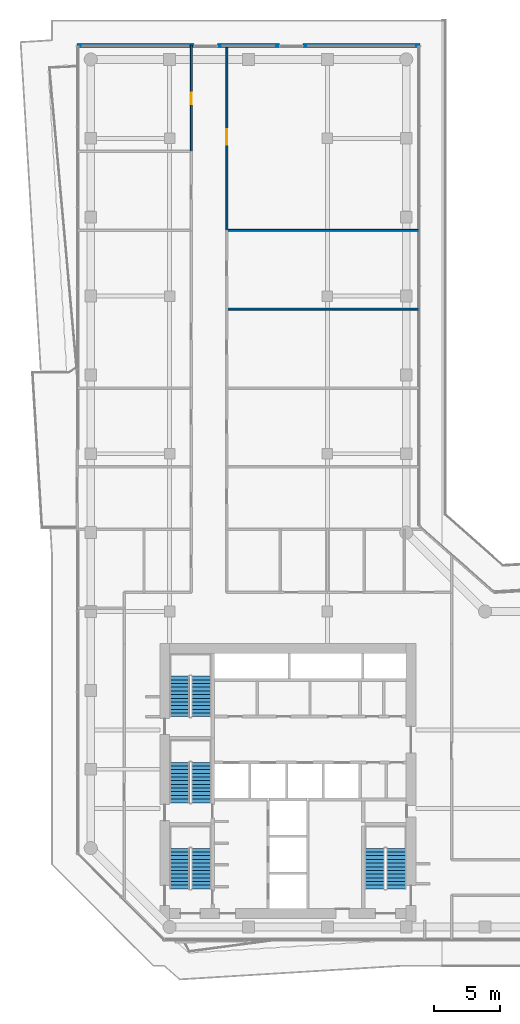
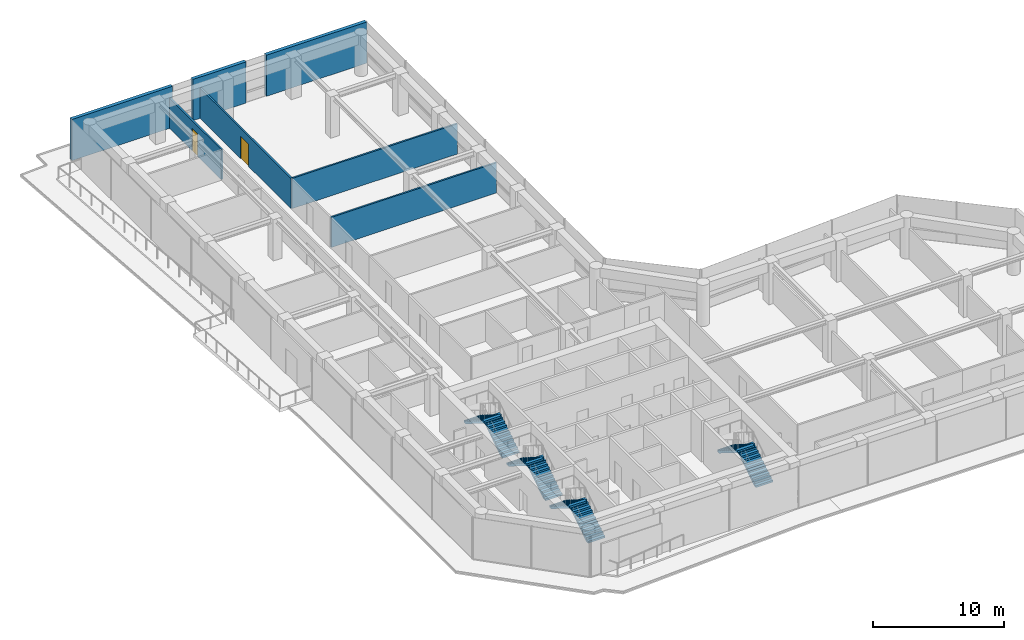
# One storey, part 21 of 23: 8 stair flights, 7 walls, 2 doors, 2 openings, 4 elements without a shape of their own.
"""IFC4 building model written with IfcOpenShell, lengths in metres."""

from ifc_helpers import new_model, si_unit, direction, frame, frame_2d, origin, place, context, subcontext, project, spatial, polyline, rectangle, outline, extrude, material, layer, layer_set, type_object, element, fill, aggregate, save


model = new_model("IFC4")

# Units and contexts
model_context = context("Model", 3, precision=1e-05, world=origin(), true_north=direction((0.0, 1.0)))
body_context = subcontext(model_context, "Body", "Model", "MODEL_VIEW")
ifc_project = project(units=[si_unit("LENGTHUNIT", "METRE"), si_unit("AREAUNIT", "SQUARE_METRE"), si_unit("VOLUMEUNIT", "CUBIC_METRE"), si_unit("PLANEANGLEUNIT", "RADIAN"), si_unit("MASSUNIT", "GRAM", prefix="KILO")], contexts=[model_context])

# Site, building, storey
site_placement = place(None, origin())
site = spatial("IfcSite", under=ifc_project, at=site_placement, CompositionType="ELEMENT")
building_placement = place(site_placement, origin())
building = spatial("IfcBuilding", under=site, at=building_placement, Name="Welwitschia Terrace Campus", CompositionType="ELEMENT")
storey_placement = place(building_placement, frame((0.0, 0.0, 96.199951171875)))
storey = spatial("IfcBuildingStorey", under=building, at=storey_placement, Name="L21", CompositionType="ELEMENT", Elevation=96.199951171875)

# Wall, opening, door
ifc_material_1 = material(Name="Gypsum board on steel studs", Category="steel")
ifc_layer_1 = layer(ifc_material_1, 0.14990234375)
ifc_layer_set_1 = layer_set([ifc_layer_1], Name="Gypsum board on steel studs")
wall_type_1 = type_object("IfcWallType", Name="Corridor partition 150 EI 30", PredefinedType="PARTITIONING", material=ifc_layer_set_1)
wall_1_placement = place(storey_placement, frame((7.64990234375, 63.0, 0.0), z_axis=(0.0, 0.0, 1.0), x_axis=(0.0, 1.0, 0.0)))
wall_1 = element("IfcWall", 1, at=wall_1_placement, inside=storey, type_object=wall_type_1, Name="Partition", PredefinedType="PARTITIONING", context=body_context, shape_type="SweptSolid", body=[
    extrude(rectangle(XDim=8.090087890625, YDim=0.14990234375, at=frame_2d((4.044921875, 0.0))), origin(), (0.0, 0.0, 1.0), 2.830078125),
])
opening_1_placement = place(wall_1_placement, frame((3.580078125, 0.0, 0.0)))
opening_1 = element("IfcOpeningElement", 2, at=opening_1_placement, cuts=wall_1, Name="Opening DI09", PredefinedType="OPENING", context=body_context, shape_type="SweptSolid", body=[
    extrude(rectangle(XDim=0.89990234375, YDim=2.10009765625, at=frame_2d((0.449951171875, 1.050048828125))), frame((0.0, 0.0849609375, 0.0), z_axis=(0.0, -1.0, 0.0), x_axis=(1.0, 0.0, 0.0)), (0.0, 0.0, 1.0), 0.169921875),
])
ifc_material_2 = material(Name="Timber veneered door", Category="wood")
door_type_1 = type_object("IfcDoorType", Name="Interior door DI09", OperationType="NOTDEFINED", PredefinedType="DOOR", material=ifc_material_2)
door_1_placement = place(opening_1_placement, origin())
door_1 = element("IfcDoor", 3, at=door_1_placement, inside=storey, type_object=door_type_1, Name="Door L21 465", OperationType="SINGLE_SWING_RIGHT", OverallHeight=2.10009765625, OverallWidth=0.89990234375, PredefinedType="DOOR", context=body_context, shape_type="SweptSolid", body=[
    extrude(rectangle(XDim=0.89990234375, YDim=2.10009765625, at=frame_2d((0.449951171875, 1.050048828125))), frame((0.0, 0.02490234375, 0.0), z_axis=(0.0, -1.0, 0.0), x_axis=(1.0, 0.0, 0.0)), (0.0, 0.0, 1.0), 0.050048828125),
])
fill(opening_1, door_1)

# Walls
for number, where, z_axis, x_axis, name in (
    (4, (10.35009765625, 51.0, 0.0), (0.0, 0.0, 1.0), (1.0, 0.0, 0.0), "Partition"),
    (5, (10.35009765625, 57.0, 0.0), (0.0, 0.0, 1.0), (1.0, 0.0, 0.0), "Partition"),
):
    element("IfcWall", number, at=place(storey_placement, frame(where, z_axis=z_axis, x_axis=x_axis)), inside=storey, type_object=wall_type_1, Name=name, PredefinedType="PARTITIONING", context=body_context, shape_type="SweptSolid", body=[
        extrude(rectangle(XDim=14.6298828125, YDim=0.14990234375, at=frame_2d((7.31494140625, 0.0))), origin(), (0.0, 0.0, 1.0), 2.830078125),
    ])

# Wall, opening, door
wall_2_placement = place(storey_placement, frame((10.35009765625, 71.090087890625, 0.0), z_axis=(0.0, 0.0, 1.0), x_axis=(0.0, -1.0, 0.0)))
wall_2 = element("IfcWall", 6, at=wall_2_placement, inside=storey, type_object=wall_type_1, Name="Partition", PredefinedType="PARTITIONING", context=body_context, shape_type="SweptSolid", body=[
    extrude(rectangle(XDim=14.090087890625, YDim=0.14990234375, at=frame_2d((7.044921875, 0.0))), origin(), (0.0, 0.0, 1.0), 2.830078125),
])
opening_2_placement = place(wall_2_placement, frame((6.389892578125, 0.0, 0.0)))
opening_2 = element("IfcOpeningElement", 7, at=opening_2_placement, cuts=wall_2, Name="Opening DI12", PredefinedType="OPENING", context=body_context, shape_type="SweptSolid", body=[
    extrude(rectangle(XDim=1.199951171875, YDim=2.10009765625, at=frame_2d((0.60009765625, 1.050048828125))), frame((0.0, 0.0849609375, 0.0), z_axis=(0.0, -1.0, 0.0), x_axis=(1.0, 0.0, 0.0)), (0.0, 0.0, 1.0), 0.169921875),
])
ifc_material_3 = material(Name="Timber veneered door", Category="wood")
door_type_2 = type_object("IfcDoorType", Name="Interior door DI12", OperationType="NOTDEFINED", PredefinedType="DOOR", material=ifc_material_3)
door_2_placement = place(opening_2_placement, origin())
door_2 = element("IfcDoor", 8, at=door_2_placement, inside=storey, type_object=door_type_2, Name="Door L21 470", OperationType="SINGLE_SWING_LEFT", OverallHeight=2.10009765625, OverallWidth=1.199951171875, PredefinedType="DOOR", context=body_context, shape_type="SweptSolid", body=[
    extrude(rectangle(XDim=1.199951171875, YDim=2.10009765625, at=frame_2d((0.60009765625, 1.050048828125))), frame((0.0, 0.02490234375, 0.0), z_axis=(0.0, -1.0, 0.0), x_axis=(1.0, 0.0, 0.0)), (0.0, 0.0, 1.0), 0.050048828125),
])
fill(opening_2, door_2)

# Walls
ifc_material_4 = material(Name="Concrete C40/50", Category="concrete")
ifc_layer_2 = layer(ifc_material_4, 0.300048828125)
ifc_layer_set_2 = layer_set([ifc_layer_2], Name="Concrete C40/50")
wall_type_2 = type_object("IfcWallType", Name="Mass wall 300", PredefinedType="SOLIDWALL", material=ifc_layer_set_2)
wall_3_placement = place(storey_placement, frame((25.030029296875, 71.05517578125, 0.0), z_axis=(0.0, 0.0, 1.0), x_axis=(-1.0, 0.0, 0.0)))
element("IfcWall", 9, at=wall_3_placement, inside=storey, type_object=wall_type_2, Name="Mass wall L21.9.0", PredefinedType="SOLIDWALL", context=body_context, shape_type="SweptSolid", body=[
    extrude(rectangle(XDim=8.87255859375, YDim=0.300048828125, at=frame_2d((4.436279296875, 0.0))), origin(), (0.0, 0.0, 1.0), 3.85009765625),
])
wall_4_placement = place(storey_placement, frame((14.357421875, 71.06005859375, 0.0), z_axis=(0.0, 0.0, 1.0), x_axis=(-1.0, 0.0, 0.0)))
element("IfcWall", 10, at=wall_4_placement, inside=storey, type_object=wall_type_2, Name="Mass wall L21.9.1", PredefinedType="SOLIDWALL", context=body_context, shape_type="SweptSolid", body=[
    extrude(rectangle(XDim=4.71484375, YDim=0.300048828125, at=frame_2d((2.357421875, 0.0))), origin(), (0.0, 0.0, 1.0), 3.85009765625),
])
wall_5_placement = place(storey_placement, frame((7.842529296875, 71.05517578125, 0.0), z_axis=(0.0, 0.0, 1.0), x_axis=(-1.0, 0.0, 0.0)))
element("IfcWall", 11, at=wall_5_placement, inside=storey, type_object=wall_type_2, Name="Mass wall L21.9.2", PredefinedType="SOLIDWALL", context=body_context, shape_type="SweptSolid", body=[
    extrude(rectangle(XDim=8.87255859375, YDim=0.300048828125, at=frame_2d((4.436279296875, 0.0))), origin(), (0.0, 0.0, 1.0), 3.85009765625),
])

# Stair, stair flights
ifc_material_5 = material(Name="Concrete C40/50", Category="concrete")
stair_type = type_object("IfcStairType", Name="Stair 24R 175 W1500", PredefinedType="HALF_TURN_STAIR", material=ifc_material_5)
stair_1_placement = place(storey_placement, origin())
stair_1 = element("IfcStair", 12, at=stair_1_placement, inside=storey, type_object=stair_type, Name="L21 Exit stair S1", PredefinedType="HALF_TURN_STAIR")
ifc_material_6 = material(Name="Concrete C40/50", Category="concrete")
stair_flight_type = type_object("IfcStairFlightType", Name="Stair flight 24R 175 W1500", PredefinedType="STRAIGHT", material=ifc_material_6)
stair_flight_1_placement = place(storey_placement, frame((8.39990234375, 6.89990234375, 0.0), z_axis=(0.0, 0.0, 1.0), x_axis=(0.0, 1.0, 0.0)))
stair_flight_1 = element("IfcStairFlight", 13, at=stair_flight_1_placement, type_object=stair_flight_type, Name="S1 flight 1", NumberOfRisers=12, NumberOfTreads=11, PredefinedType="STRAIGHT", RiserHeight=0.175, TreadLength=0.28, context=body_context, shape_type="SweptSolid", body=[
    extrude(outline(polyline([(0.0, 0.0), (0.0, 0.175048828125), (0.280029296875, 0.175048828125), (0.280029296875, 0.35009765625), (0.56005859375, 0.35009765625), (0.56005859375, 0.52490234375), (0.840087890625, 0.52490234375), (0.840087890625, 0.699951171875), (1.1201171875, 0.699951171875), (1.1201171875, 0.875), (1.39990234375, 0.875), (1.39990234375, 1.050048828125), (1.679931640625, 1.050048828125), (1.679931640625, 1.22509765625), (1.9599609375, 1.22509765625), (1.9599609375, 1.39990234375), (2.239990234375, 1.39990234375), (2.239990234375, 1.574951171875), (2.52001953125, 1.574951171875), (2.52001953125, 1.75), (2.800048828125, 1.75), (2.800048828125, 1.925048828125), (3.080078125, 1.925048828125), (3.080078125, 2.10009765625), (3.080078125, 1.748291015625), (0.28271484375, 0.0), (0.0, 0.0)])), frame((0.0, 0.75, 0.0), z_axis=(0.0, -1.0, 0.0), x_axis=(1.0, 0.0, 0.0)), (0.0, 0.0, 1.0), 1.5),
])
stair_flight_2_placement = place(storey_placement, frame((6.75, 9.97998046875, 2.10009765625), z_axis=(0.0, 0.0, 1.0), x_axis=(0.0, -1.0, 0.0)))
stair_flight_2 = element("IfcStairFlight", 14, at=stair_flight_2_placement, type_object=stair_flight_type, Name="S1 flight 2", NumberOfRisers=12, NumberOfTreads=11, PredefinedType="STRAIGHT", RiserHeight=0.175, TreadLength=0.28, context=body_context, shape_type="SweptSolid", body=[
    extrude(outline(polyline([(0.0, 0.0), (0.0, 0.175048828125), (0.280029296875, 0.175048828125), (0.280029296875, 0.35009765625), (0.56005859375, 0.35009765625), (0.56005859375, 0.52490234375), (0.840087890625, 0.52490234375), (0.840087890625, 0.699951171875), (1.1201171875, 0.699951171875), (1.1201171875, 0.875), (1.39990234375, 0.875), (1.39990234375, 1.050048828125), (1.679931640625, 1.050048828125), (1.679931640625, 1.22509765625), (1.9599609375, 1.22509765625), (1.9599609375, 1.39990234375), (2.239990234375, 1.39990234375), (2.239990234375, 1.574951171875), (2.52001953125, 1.574951171875), (2.52001953125, 1.75), (2.800048828125, 1.75), (2.800048828125, 1.925048828125), (3.080078125, 1.925048828125), (3.080078125, 2.10009765625), (3.080078125, 1.748291015625), (0.28271484375, 0.0), (0.0, 0.0)])), frame((0.0, 0.75, 0.0), z_axis=(0.0, -1.0, 0.0), x_axis=(1.0, 0.0, 0.0)), (0.0, 0.0, 1.0), 1.5),
])
aggregate(stair_1, [stair_flight_1, stair_flight_2])

stair_2_placement = place(storey_placement, origin())
stair_2 = element("IfcStair", 15, at=stair_2_placement, inside=storey, type_object=stair_type, Name="L21 Exit stair S3", PredefinedType="HALF_TURN_STAIR")
stair_flight_3_placement = place(storey_placement, frame((8.39990234375, 13.449951171875, 0.0), z_axis=(0.0, 0.0, 1.0), x_axis=(0.0, 1.0, 0.0)))
stair_flight_3 = element("IfcStairFlight", 16, at=stair_flight_3_placement, type_object=stair_flight_type, Name="S3 flight 1", NumberOfRisers=12, NumberOfTreads=11, PredefinedType="STRAIGHT", RiserHeight=0.175, TreadLength=0.28, context=body_context, shape_type="SweptSolid", body=[
    extrude(outline(polyline([(0.0, 0.0), (0.0, 0.175048828125), (0.280029296875, 0.175048828125), (0.280029296875, 0.35009765625), (0.56005859375, 0.35009765625), (0.56005859375, 0.52490234375), (0.840087890625, 0.52490234375), (0.840087890625, 0.699951171875), (1.1201171875, 0.699951171875), (1.1201171875, 0.875), (1.39990234375, 0.875), (1.39990234375, 1.050048828125), (1.679931640625, 1.050048828125), (1.679931640625, 1.22509765625), (1.9599609375, 1.22509765625), (1.9599609375, 1.39990234375), (2.239990234375, 1.39990234375), (2.239990234375, 1.574951171875), (2.52001953125, 1.574951171875), (2.52001953125, 1.75), (2.800048828125, 1.75), (2.800048828125, 1.925048828125), (3.080078125, 1.925048828125), (3.080078125, 2.10009765625), (3.080078125, 1.748291015625), (0.28271484375, 0.0), (0.0, 0.0)])), frame((0.0, 0.75, 0.0), z_axis=(0.0, -1.0, 0.0), x_axis=(1.0, 0.0, 0.0)), (0.0, 0.0, 1.0), 1.5),
])
stair_flight_4_placement = place(storey_placement, frame((6.75, 16.530029296875, 2.10009765625), z_axis=(0.0, 0.0, 1.0), x_axis=(0.0, -1.0, 0.0)))
stair_flight_4 = element("IfcStairFlight", 17, at=stair_flight_4_placement, type_object=stair_flight_type, Name="S3 flight 2", NumberOfRisers=12, NumberOfTreads=11, PredefinedType="STRAIGHT", RiserHeight=0.175, TreadLength=0.28, context=body_context, shape_type="SweptSolid", body=[
    extrude(outline(polyline([(0.0, 0.0), (0.0, 0.175048828125), (0.280029296875, 0.175048828125), (0.280029296875, 0.35009765625), (0.56005859375, 0.35009765625), (0.56005859375, 0.52490234375), (0.840087890625, 0.52490234375), (0.840087890625, 0.699951171875), (1.1201171875, 0.699951171875), (1.1201171875, 0.875), (1.39990234375, 0.875), (1.39990234375, 1.050048828125), (1.679931640625, 1.050048828125), (1.679931640625, 1.22509765625), (1.9599609375, 1.22509765625), (1.9599609375, 1.39990234375), (2.239990234375, 1.39990234375), (2.239990234375, 1.574951171875), (2.52001953125, 1.574951171875), (2.52001953125, 1.75), (2.800048828125, 1.75), (2.800048828125, 1.925048828125), (3.080078125, 1.925048828125), (3.080078125, 2.10009765625), (3.080078125, 1.748291015625), (0.28271484375, 0.0), (0.0, 0.0)])), frame((0.0, 0.75, 0.0), z_axis=(0.0, -1.0, 0.0), x_axis=(1.0, 0.0, 0.0)), (0.0, 0.0, 1.0), 1.5),
])
aggregate(stair_2, [stair_flight_3, stair_flight_4])

stair_3_placement = place(storey_placement, origin())
stair_3 = element("IfcStair", 18, at=stair_3_placement, inside=storey, type_object=stair_type, Name="L21 Exit stair S4", PredefinedType="HALF_TURN_STAIR")
stair_flight_5_placement = place(storey_placement, frame((8.39990234375, 20.0, 0.0), z_axis=(0.0, 0.0, 1.0), x_axis=(0.0, 1.0, 0.0)))
stair_flight_5 = element("IfcStairFlight", 19, at=stair_flight_5_placement, type_object=stair_flight_type, Name="S4 flight 1", NumberOfRisers=12, NumberOfTreads=11, PredefinedType="STRAIGHT", RiserHeight=0.175, TreadLength=0.28, context=body_context, shape_type="SweptSolid", body=[
    extrude(outline(polyline([(0.0, 0.0), (0.0, 0.175048828125), (0.280029296875, 0.175048828125), (0.280029296875, 0.35009765625), (0.56005859375, 0.35009765625), (0.56005859375, 0.52490234375), (0.840087890625, 0.52490234375), (0.840087890625, 0.699951171875), (1.1201171875, 0.699951171875), (1.1201171875, 0.875), (1.39990234375, 0.875), (1.39990234375, 1.050048828125), (1.679931640625, 1.050048828125), (1.679931640625, 1.22509765625), (1.9599609375, 1.22509765625), (1.9599609375, 1.39990234375), (2.239990234375, 1.39990234375), (2.239990234375, 1.574951171875), (2.52001953125, 1.574951171875), (2.52001953125, 1.75), (2.800048828125, 1.75), (2.800048828125, 1.925048828125), (3.080078125, 1.925048828125), (3.080078125, 2.10009765625), (3.080078125, 1.748291015625), (0.28271484375, 0.0), (0.0, 0.0)])), frame((0.0, 0.75, 0.0), z_axis=(0.0, -1.0, 0.0), x_axis=(1.0, 0.0, 0.0)), (0.0, 0.0, 1.0), 1.5),
])
stair_flight_6_placement = place(storey_placement, frame((6.75, 23.080078125, 2.10009765625), z_axis=(0.0, 0.0, 1.0), x_axis=(0.0, -1.0, 0.0)))
stair_flight_6 = element("IfcStairFlight", 20, at=stair_flight_6_placement, type_object=stair_flight_type, Name="S4 flight 2", NumberOfRisers=12, NumberOfTreads=11, PredefinedType="STRAIGHT", RiserHeight=0.175, TreadLength=0.28, context=body_context, shape_type="SweptSolid", body=[
    extrude(outline(polyline([(0.0, 0.0), (0.0, 0.175048828125), (0.280029296875, 0.175048828125), (0.280029296875, 0.35009765625), (0.56005859375, 0.35009765625), (0.56005859375, 0.52490234375), (0.840087890625, 0.52490234375), (0.840087890625, 0.699951171875), (1.1201171875, 0.699951171875), (1.1201171875, 0.875), (1.39990234375, 0.875), (1.39990234375, 1.050048828125), (1.679931640625, 1.050048828125), (1.679931640625, 1.22509765625), (1.9599609375, 1.22509765625), (1.9599609375, 1.39990234375), (2.239990234375, 1.39990234375), (2.239990234375, 1.574951171875), (2.52001953125, 1.574951171875), (2.52001953125, 1.75), (2.800048828125, 1.75), (2.800048828125, 1.925048828125), (3.080078125, 1.925048828125), (3.080078125, 2.10009765625), (3.080078125, 1.748291015625), (0.28271484375, 0.0), (0.0, 0.0)])), frame((0.0, 0.75, 0.0), z_axis=(0.0, -1.0, 0.0), x_axis=(1.0, 0.0, 0.0)), (0.0, 0.0, 1.0), 1.5),
])
aggregate(stair_3, [stair_flight_5, stair_flight_6])

stair_4_placement = place(storey_placement, origin())
stair_4 = element("IfcStair", 21, at=stair_4_placement, inside=storey, type_object=stair_type, Name="L21 Exit stair S2", PredefinedType="HALF_TURN_STAIR")
stair_flight_7_placement = place(storey_placement, frame((23.25, 6.89990234375, 0.0), z_axis=(0.0, 0.0, 1.0), x_axis=(0.0, 1.0, 0.0)))
stair_flight_7 = element("IfcStairFlight", 22, at=stair_flight_7_placement, type_object=stair_flight_type, Name="S2 flight 1", NumberOfRisers=12, NumberOfTreads=11, PredefinedType="STRAIGHT", RiserHeight=0.175, TreadLength=0.28, context=body_context, shape_type="SweptSolid", body=[
    extrude(outline(polyline([(0.0, 0.0), (0.0, 0.175048828125), (0.280029296875, 0.175048828125), (0.280029296875, 0.35009765625), (0.56005859375, 0.35009765625), (0.56005859375, 0.52490234375), (0.840087890625, 0.52490234375), (0.840087890625, 0.699951171875), (1.1201171875, 0.699951171875), (1.1201171875, 0.875), (1.39990234375, 0.875), (1.39990234375, 1.050048828125), (1.679931640625, 1.050048828125), (1.679931640625, 1.22509765625), (1.9599609375, 1.22509765625), (1.9599609375, 1.39990234375), (2.239990234375, 1.39990234375), (2.239990234375, 1.574951171875), (2.52001953125, 1.574951171875), (2.52001953125, 1.75), (2.800048828125, 1.75), (2.800048828125, 1.925048828125), (3.080078125, 1.925048828125), (3.080078125, 2.10009765625), (3.080078125, 1.748291015625), (0.28271484375, 0.0), (0.0, 0.0)])), frame((0.0, 0.75, 0.0), z_axis=(0.0, -1.0, 0.0), x_axis=(1.0, 0.0, 0.0)), (0.0, 0.0, 1.0), 1.5),
])
stair_flight_8_placement = place(storey_placement, frame((21.60009765625, 9.97998046875, 2.10009765625), z_axis=(0.0, 0.0, 1.0), x_axis=(0.0, -1.0, 0.0)))
stair_flight_8 = element("IfcStairFlight", 23, at=stair_flight_8_placement, type_object=stair_flight_type, Name="S2 flight 2", NumberOfRisers=12, NumberOfTreads=11, PredefinedType="STRAIGHT", RiserHeight=0.175, TreadLength=0.28, context=body_context, shape_type="SweptSolid", body=[
    extrude(outline(polyline([(0.0, 0.0), (0.0, 0.175048828125), (0.280029296875, 0.175048828125), (0.280029296875, 0.35009765625), (0.56005859375, 0.35009765625), (0.56005859375, 0.52490234375), (0.840087890625, 0.52490234375), (0.840087890625, 0.699951171875), (1.1201171875, 0.699951171875), (1.1201171875, 0.875), (1.39990234375, 0.875), (1.39990234375, 1.050048828125), (1.679931640625, 1.050048828125), (1.679931640625, 1.22509765625), (1.9599609375, 1.22509765625), (1.9599609375, 1.39990234375), (2.239990234375, 1.39990234375), (2.239990234375, 1.574951171875), (2.52001953125, 1.574951171875), (2.52001953125, 1.75), (2.800048828125, 1.75), (2.800048828125, 1.925048828125), (3.080078125, 1.925048828125), (3.080078125, 2.10009765625), (3.080078125, 1.748291015625), (0.28271484375, 0.0), (0.0, 0.0)])), frame((0.0, 0.75, 0.0), z_axis=(0.0, -1.0, 0.0), x_axis=(1.0, 0.0, 0.0)), (0.0, 0.0, 1.0), 1.5),
])
aggregate(stair_4, [stair_flight_7, stair_flight_8])

save(model, "model.ifc")
